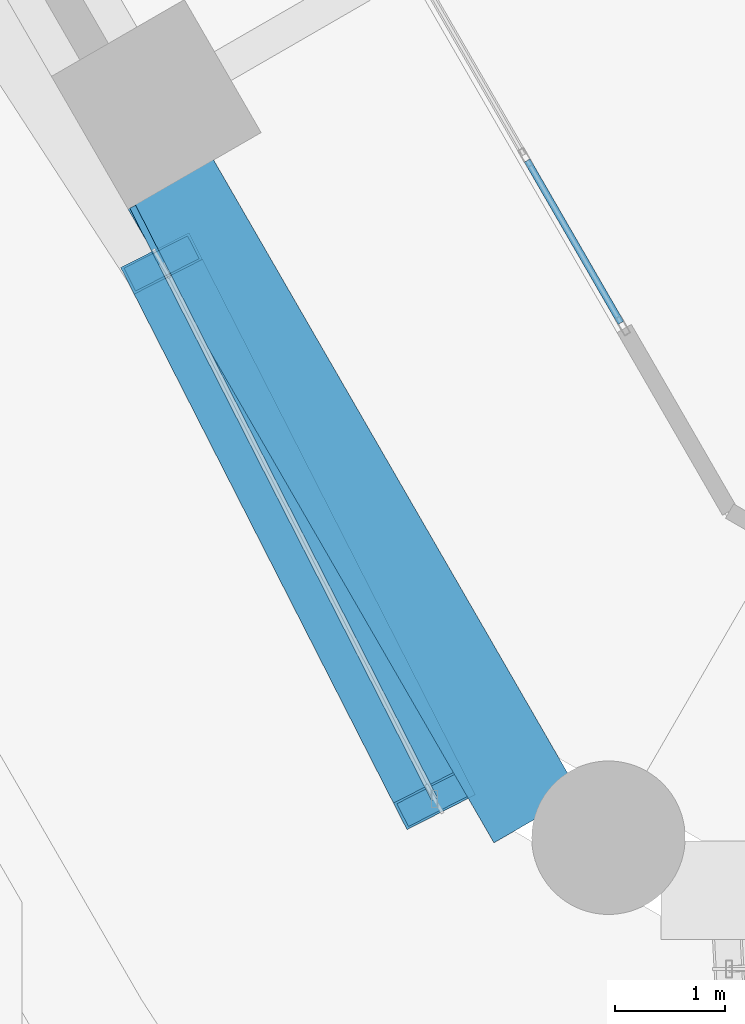
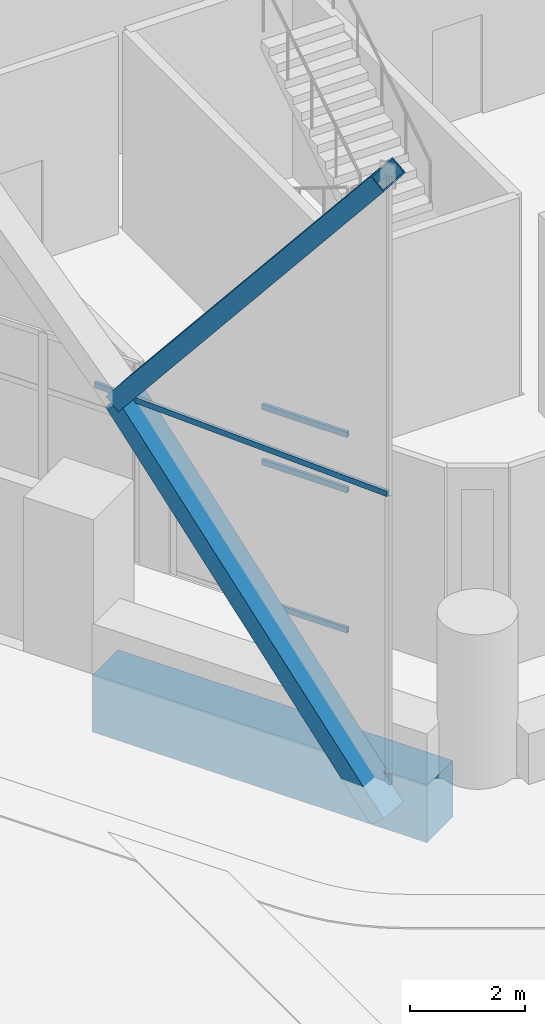
# One storey, part 15 of 71: 6 members, 1 beam, 2 elements without a shape of their own.
"""IFC4 building model written with IfcOpenShell, lengths in metres."""

from ifc_helpers import new_model, si_unit, direction, frame, origin, origin_2d, place, context, subcontext, project, spatial, rectangle, hollow_rectangle, extrude, material, material_profile, profile_set, type_object, element, aggregate, save


model = new_model("IFC4")

# Units and contexts
model_context = context("Model", 3, precision=1e-05, world=origin(), true_north=direction((0.0, 1.0)))
body_context = subcontext(model_context, "Body", "Model", "MODEL_VIEW")
ifc_project = project(units=[si_unit("LENGTHUNIT", "METRE"), si_unit("AREAUNIT", "SQUARE_METRE"), si_unit("VOLUMEUNIT", "CUBIC_METRE"), si_unit("PLANEANGLEUNIT", "RADIAN"), si_unit("MASSUNIT", "GRAM", prefix="KILO")], contexts=[model_context])

# Site, building, storey
site_placement = place(None, origin())
site = spatial("IfcSite", under=ifc_project, at=site_placement, CompositionType="ELEMENT")
building_placement = place(site_placement, origin())
building = spatial("IfcBuilding", under=site, at=building_placement, Name="Ostrander Bayou Hotel Tower", CompositionType="ELEMENT")
storey_placement = place(building_placement, frame((0.0, 0.0, 10.0)))
storey = spatial("IfcBuildingStorey", under=building, at=storey_placement, Name="L02", CompositionType="ELEMENT", Elevation=10.0)

# Curtain wall, member
ifc_material_1 = material(Name="Aluminium and clear glass", Category="aluminium")
curtain_wall_type_1 = type_object("IfcCurtainWallType", Name="CW-LAT lattice glazing", PredefinedType="NOTDEFINED", material=ifc_material_1)
curtain_wall_1_placement = place(storey_placement, origin())
curtain_wall_1 = element("IfcCurtainWall", 1, at=curtain_wall_1_placement, inside=storey, type_object=curtain_wall_type_1, Name="CW-LAT L02 SW 2", PredefinedType="NOTDEFINED")
ifc_material_2 = material(Name="Aluminium", Category="aluminium")
ifc_material_profile_1 = material_profile(ifc_material_2, hollow_rectangle(XDim=0.06005859375, YDim=0.1201171875, WallThickness=0.00390625, at=origin_2d()))
ifc_profile_set_1 = profile_set([ifc_material_profile_1], Name="Aluminium")
member_type_1 = type_object("IfcMemberType", Name="CW-LA transom 60 x 120 mm", PredefinedType="USERDEFINED", material=ifc_profile_set_1)
member_1_placement = place(storey_placement, frame((-13.637939453125, -20.5185546875, 6.14990234375), z_axis=(-0.45398127214, 0.891011225825, 0.0), x_axis=(-0.891011225825, -0.45398127214, 0.0)))
member_1 = element("IfcMember", 2, at=member_1_placement, type_object=member_type_1, Name="CW-LAT transom 6", ObjectType="TRANSOM", PredefinedType="USERDEFINED", context=body_context, shape_type="SweptSolid", body=[
    extrude(hollow_rectangle(XDim=0.06005859375, YDim=0.1201171875, WallThickness=0.00390625, at=origin_2d()), origin(), (0.0, 0.0, 1.0), 6.0634765625),
])
aggregate(curtain_wall_1, [member_1])

# Curtain wall, members
ifc_material_3 = material(Name="Aluminium and clear glass", Category="aluminium")
curtain_wall_type_2 = type_object("IfcCurtainWallType", Name="CW-SKY amenity glass wall", PredefinedType="NOTDEFINED", material=ifc_material_3)
curtain_wall_2_placement = place(storey_placement, origin())
curtain_wall_2 = element("IfcCurtainWall", 3, at=curtain_wall_2_placement, inside=storey, type_object=curtain_wall_type_2, Name="CW-SKY L02 SW 4", PredefinedType="NOTDEFINED")
ifc_material_4 = material(Name="Aluminium", Category="aluminium")
ifc_material_profile_2 = material_profile(ifc_material_4, hollow_rectangle(XDim=0.06005859375, YDim=0.1201171875, WallThickness=0.00390625, at=origin_2d()))
ifc_profile_set_2 = profile_set([ifc_material_profile_2], Name="Aluminium")
member_type_2 = type_object("IfcMemberType", Name="CW-SK transom 60 x 120 mm", PredefinedType="USERDEFINED", material=ifc_profile_set_2)
member_2_placement = place(storey_placement, frame((-12.79150390625, -14.6943359375, 0.030029296875), z_axis=(0.499977863513, -0.866038183914, 0.0), x_axis=(0.866038183914, 0.499977863513, 0.0)))
member_2 = element("IfcMember", 4, at=member_2_placement, type_object=member_type_2, Name="CW-SKY transom 2.1", ObjectType="TRANSOM", PredefinedType="USERDEFINED", context=body_context, shape_type="SweptSolid", body=[
    extrude(hollow_rectangle(XDim=0.06005859375, YDim=0.1201171875, WallThickness=0.00390625, at=origin_2d()), origin(), (0.0, 0.0, 1.0), 1.7099609375),
])
member_3_placement = place(storey_placement, frame((-12.79150390625, -14.6943359375, 3.0), z_axis=(0.499977863513, -0.866038183914, 0.0), x_axis=(0.866038183914, 0.499977863513, 0.0)))
member_3 = element("IfcMember", 5, at=member_3_placement, type_object=member_type_2, Name="CW-SKY transom 2.2", ObjectType="TRANSOM", PredefinedType="USERDEFINED", context=body_context, shape_type="SweptSolid", body=[
    extrude(hollow_rectangle(XDim=0.06005859375, YDim=0.1201171875, WallThickness=0.00390625, at=origin_2d()), origin(), (0.0, 0.0, 1.0), 1.7099609375),
])
member_4_placement = place(storey_placement, frame((-12.79150390625, -14.6943359375, 4.169921875), z_axis=(0.499977863513, -0.866038183914, 0.0), x_axis=(0.866038183914, 0.499977863513, 0.0)))
member_4 = element("IfcMember", 6, at=member_4_placement, type_object=member_type_2, Name="CW-SKY transom 2.3", ObjectType="TRANSOM", PredefinedType="USERDEFINED", context=body_context, shape_type="SweptSolid", body=[
    extrude(hollow_rectangle(XDim=0.06005859375, YDim=0.1201171875, WallThickness=0.00390625, at=origin_2d()), origin(), (0.0, 0.0, 1.0), 1.7099609375),
])
aggregate(curtain_wall_2, [member_2, member_3, member_4])

# Members
ifc_material_5 = material(Name="Steel ASTM A572 Gr 50", Category="steel")
ifc_material_profile_3 = material_profile(ifc_material_5, hollow_rectangle(XDim=0.699951171875, YDim=0.35009765625, WallThickness=0.02490234375, at=origin_2d()))
ifc_profile_set_3 = profile_set([ifc_material_profile_3], Name="Steel ASTM A572 Gr 50")
member_type_3 = type_object("IfcMemberType", Name="LT1 lattice member box 700 x 350 x 25 mm", PredefinedType="BRACE", material=ifc_profile_set_3)
for number, where, z_axis, x_axis, name in (
    (7, (-16.126953125, -15.63330078125, 6.14990234375), (0.286219486036, -0.561770663617, -0.776203663553), (0.891017407703, 0.453969139007, 0.0), "LT1 L02 SW 5"),
    (8, (-16.126953125, -15.63330078125, 6.14990234375), (0.286219486036, -0.561770663617, 0.776203663553), (0.891017407703, 0.453969139007, 0.0), "LT1 L02 SW 6"),
):
    element("IfcMember", number, at=place(storey_placement, frame(where, z_axis=z_axis, x_axis=x_axis)), inside=storey, type_object=member_type_3, Name=name, PredefinedType="BRACE", context=body_context, shape_type="SweptSolid", body=[
        extrude(hollow_rectangle(XDim=0.699951171875, YDim=0.35009765625, WallThickness=0.02490234375, at=origin_2d()), origin(), (0.0, 0.0, 1.0), 8.6962890625),
    ])

# Beam
ifc_material_6 = material(Name="Concrete f'c 70 MPa", Category="concrete")
ifc_material_profile_4 = material_profile(ifc_material_6, rectangle(XDim=0.89990234375, YDim=1.199951171875, at=origin_2d()))
ifc_profile_set_4 = profile_set([ifc_material_profile_4], Name="Concrete f'c 70 MPa")
beam_type = type_object("IfcBeamType", Name="SP1 spandrel beam 900 x 1200 mm f'c 70 MPa", PredefinedType="SPANDREL", material=ifc_profile_set_4)
beam_placement = place(storey_placement, frame((-16.056884765625, -14.888671875, -0.60009765625), z_axis=(0.500005133765, -0.866022439784, 0.0), x_axis=(0.866022439784, 0.500005133765, 0.0)))
element("IfcBeam", 9, at=beam_placement, inside=storey, type_object=beam_type, Name="SP1 L02 SW-3", PredefinedType="SPANDREL", context=body_context, shape_type="SweptSolid", body=[
    extrude(rectangle(XDim=0.89990234375, YDim=1.199951171875, at=origin_2d()), origin(), (0.0, 0.0, 1.0), 6.70361328125),
])

save(model, "model.ifc")
